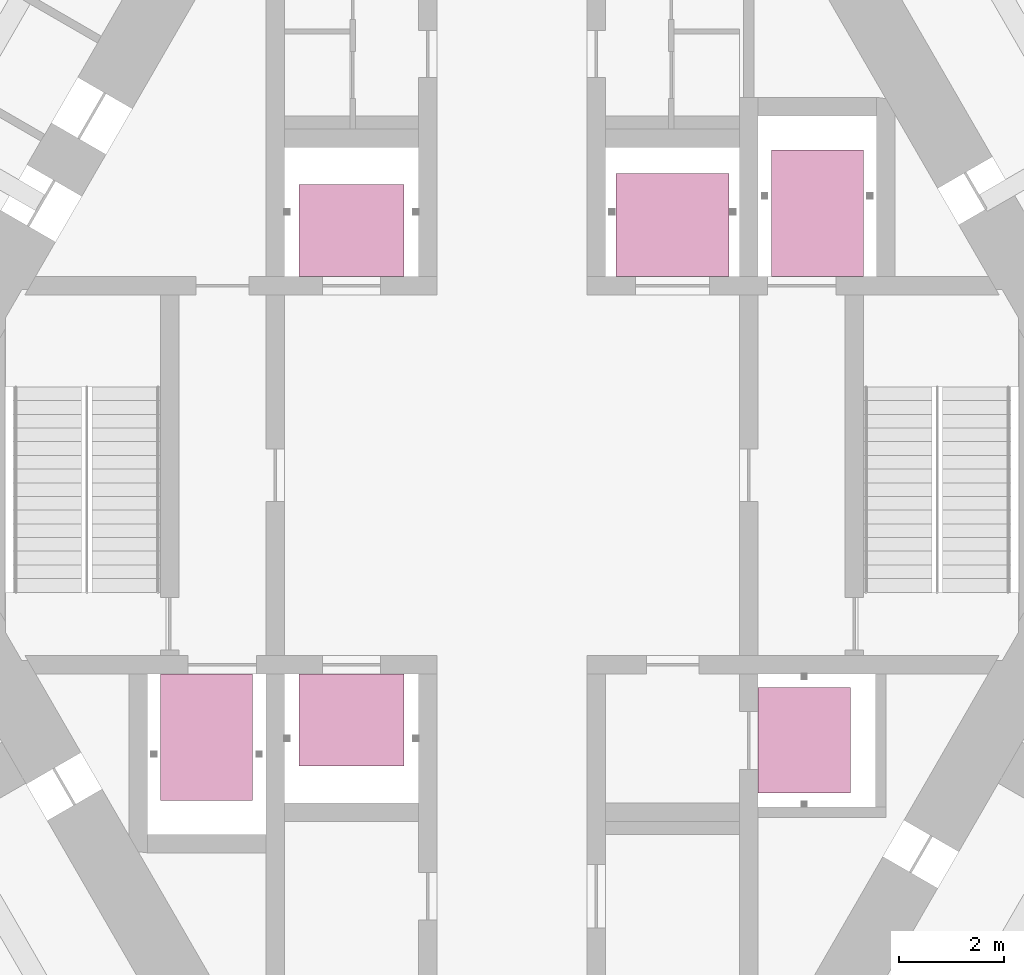
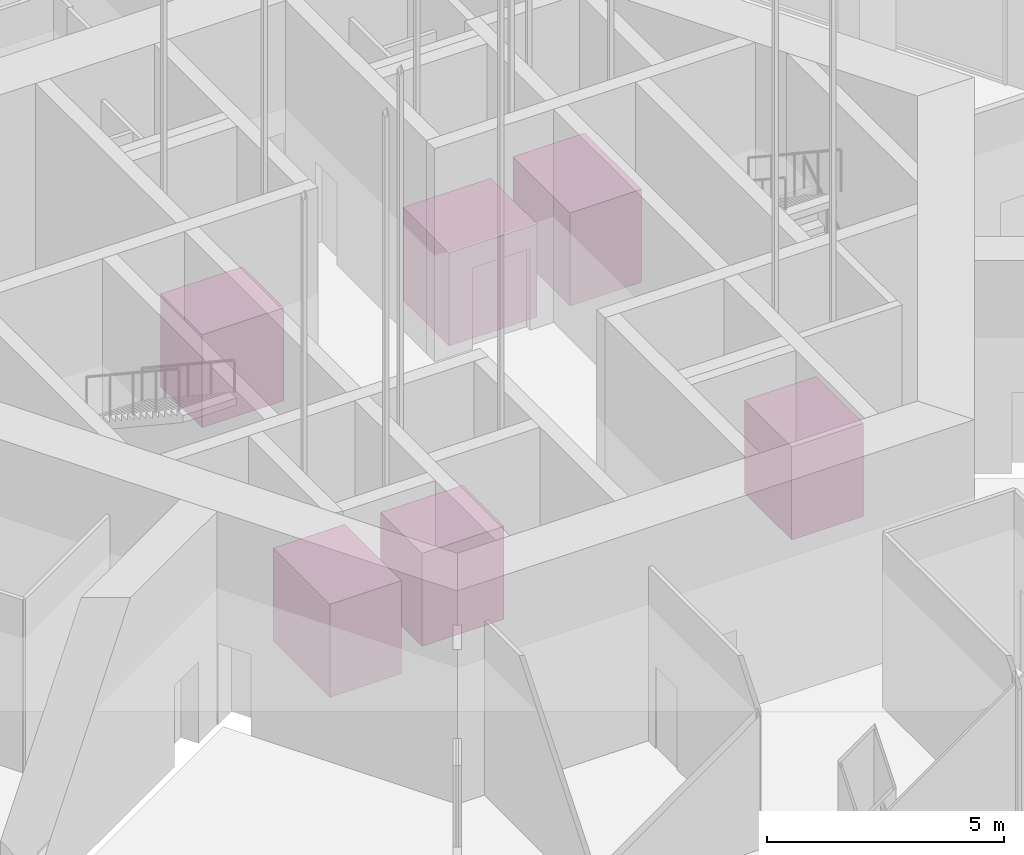
# One storey, part 18 of 18: 6 transport elements.
"""IFC4 building model written with IfcOpenShell, lengths in metres."""

import ifcopenshell
import ifcopenshell.guid

model = None  # the IFC model being written
_history = None  # IfcOwnerHistory: only IFC2X3 demands one
_inside = {}  # id of a spatial element -> (the spatial element, [elements in it])
_under = {}  # id of a project, library or spatial element -> (it, [spatial elements below it])
_declared = {}  # id of a project -> (the project, [libraries it declares])
_typed = {}  # id of a type object -> (the type object, [elements of that type])
_made_of = {}  # id of a material, layer set ... -> (it, [elements and type objects made of it])


def new_model(schema):
    """Start an empty IFC model of exactly this schema.

    Asked for "IFC4X3", IfcOpenShell would pick the latest addendum, in which some entities
    have other attributes; the version numbers below select the first issue.
    IFC2X3 requires an IfcOwnerHistory on every rooted entity: one is made here for all.
    """
    global model, _history
    if schema == "IFC4X3":
        model = ifcopenshell.file(schema_version=(4, 3, 0, 0))
    else:
        model = ifcopenshell.file(schema=schema)
    _inside.clear()
    _under.clear()
    _declared.clear()
    _typed.clear()
    _made_of.clear()
    _history = None
    if model.schema == "IFC2X3":
        org = make("IfcOrganization", Name="unknown")
        user = make(
            "IfcPersonAndOrganization",
            ThePerson=make("IfcPerson", FamilyName="unknown"),
            TheOrganization=org,
        )
        app = make(
            "IfcApplication",
            ApplicationDeveloper=org,
            Version="unknown",
            ApplicationFullName="unknown",
            ApplicationIdentifier="unknown",
        )
        _history = make(
            "IfcOwnerHistory",
            OwningUser=user,
            OwningApplication=app,
            ChangeAction="ADDED",
            CreationDate=0,
        )
    return model


def make(cls, **values):
    """One entity of the class cls with the attributes given. An attribute that is None is left unset."""
    return model.create_entity(
        cls, **{name: value for name, value in values.items() if value is not None}
    )


def rooted(cls, **values):
    """An entity with a GlobalId (a new one), such as an element, a storey or a relation."""
    return make(cls, GlobalId=ifcopenshell.guid.new(), OwnerHistory=_history, **values)


def si_unit(unit_type, name, prefix=None):
    """IfcSIUnit, for example si_unit("LENGTHUNIT", "METRE", prefix="MILLI")."""
    return make("IfcSIUnit", UnitType=unit_type, Prefix=prefix, Name=name)


def assignment(units):
    """IfcUnitAssignment: the units of a project."""
    return None if units is None else make("IfcUnitAssignment", Units=units)


def point(xyz):
    """IfcCartesianPoint."""
    return None if xyz is None else make("IfcCartesianPoint", Coordinates=xyz)


def direction(xyz):
    """IfcDirection."""
    return None if xyz is None else make("IfcDirection", DirectionRatios=xyz)


def frame(location, z_axis=None, x_axis=None):
    """IfcAxis2Placement3D, a coordinate frame: its origin and axes. An axis left out is left unset."""
    return make(
        "IfcAxis2Placement3D",
        Location=point(location),
        Axis=direction(z_axis),
        RefDirection=direction(x_axis),
    )


def frame_2d(location, x_axis=None):
    """IfcAxis2Placement2D, a coordinate frame in the plane: its origin and x axis."""
    return make(
        "IfcAxis2Placement2D", Location=point(location), RefDirection=direction(x_axis)
    )


def origin():
    """The frame at (0, 0, 0) with its axes left unset."""
    return frame((0.0, 0.0, 0.0))


def origin_2d():
    """The frame at (0, 0) in the plane with its x axis left unset."""
    return frame_2d((0.0, 0.0))


def place(relative_to, where):
    """IfcLocalPlacement: puts the frame where relative to a parent placement (None: the world)."""
    return make(
        "IfcLocalPlacement", PlacementRelTo=relative_to, RelativePlacement=where
    )


def context(
    kind, dimensions, precision=None, world=None, true_north=None, identifier=None
):
    """IfcGeometricRepresentationContext, for example the 3D "Model" context."""
    return make(
        "IfcGeometricRepresentationContext",
        ContextIdentifier=identifier,
        ContextType=kind,
        CoordinateSpaceDimension=dimensions,
        Precision=precision,
        WorldCoordinateSystem=world,
        TrueNorth=true_north,
    )


def subcontext(parent, identifier, kind, view, scale=None):
    """IfcGeometricRepresentationSubContext, for example "Body" below "Model"."""
    return make(
        "IfcGeometricRepresentationSubContext",
        ContextIdentifier=identifier,
        ContextType=kind,
        ParentContext=parent,
        TargetScale=scale,
        TargetView=view,
    )


def project(units=None, contexts=None):
    """IfcProject with its units and contexts."""
    return rooted(
        "IfcProject",
        Name="project",
        RepresentationContexts=contexts,
        UnitsInContext=assignment(units),
    )


def spatial(cls, under=None, at=None, **own):
    """A site, building, storey or space (cls), placed at a placement, below another one or the project."""
    s = rooted(cls, ObjectPlacement=at, **own)
    if under is not None:
        _under.setdefault(under.id(), (under, []))[1].append(s)
    return s


def profile(cls, at=None, kind="AREA", **sizes):
    """A parametric profile (cls). Its sizes go by their IFC names, for example OverallWidth=200.0."""
    return make(cls, ProfileType=kind, Position=at, **sizes)


def rectangle(**sizes):
    """IfcRectangleProfileDef."""
    return profile("IfcRectangleProfileDef", **sizes)


def extrude(swept, where, along, depth):
    """IfcExtrudedAreaSolid: the profile swept, set in the frame where, extruded along a direction by depth."""
    return make(
        "IfcExtrudedAreaSolid",
        SweptArea=swept,
        Position=where,
        ExtrudedDirection=direction(along),
        Depth=depth,
    )


def shape(context_of_items, identifier, shape_type, items):
    """IfcShapeRepresentation: the items that make up one representation, for example the "Body"."""
    return make(
        "IfcShapeRepresentation",
        ContextOfItems=context_of_items,
        RepresentationIdentifier=identifier,
        RepresentationType=shape_type,
        Items=items,
    )


def material(Name=None, Category=None):
    """IfcMaterial."""
    return make("IfcMaterial", Name=Name, Category=Category)


def made_of(thing, what):
    """Note that an element or type object is made of a material, layer set ...; save() writes the relation."""
    if what is not None:
        _made_of.setdefault(what.id(), (what, []))[1].append(thing)
    return thing


def type_object(cls, material=None, **own):
    """A type object (cls), such as IfcWallType, which elements share."""
    return made_of(rooted(cls, **own), material)


def element(
    cls,
    number,
    at=None,
    inside=None,
    cuts=None,
    type_object=None,
    material=None,
    context=None,
    identifier="Body",
    shape_type=None,
    held_by="IfcProductDefinitionShape",
    body=None,
    shapes=None,
    **own,
):
    """One element of the class cls, such as IfcWall. Its Tag is "e" and its number.

    at: its placement. inside: the storey or other place that contains it. cuts: it is an
    opening in that element (IfcRelVoidsElement). A single representation is given by context,
    identifier, shape_type and body (its items); several are given by shapes. held_by: the class
    of the entity that holds the representations. save() writes the other relations.
    """
    e = rooted(cls, Tag="e%d" % number, ObjectPlacement=at, **own)
    if body is not None:
        shapes = [shape(context, identifier, shape_type, body)]
    if shapes is not None:
        e.Representation = make(held_by, Representations=shapes)
    if inside is not None:
        _inside.setdefault(inside.id(), (inside, []))[1].append(e)
    if cuts is not None:
        rooted(
            "IfcRelVoidsElement", RelatingBuildingElement=cuts, RelatedOpeningElement=e
        )
    if type_object is not None:
        _typed.setdefault(type_object.id(), (type_object, []))[1].append(e)
    return made_of(e, material)


def aggregate(whole, parts):
    """IfcRelAggregates: a whole, such as a stair, and the parts it consists of."""
    return rooted("IfcRelAggregates", RelatingObject=whole, RelatedObjects=parts)


def save(model, path):
    """Write the relations noted so far, then the file.

    IfcRelAggregates (storeys below a building ...), IfcRelContainedInSpatialStructure (elements
    in a storey), IfcRelDefinesByType, IfcRelAssociatesMaterial and IfcRelDeclares: one each for
    every whole, place, type object, material and project.
    """
    for whole, parts in _under.values():
        aggregate(whole, parts)
    for where, things in _inside.values():
        rooted(
            "IfcRelContainedInSpatialStructure",
            RelatedElements=things,
            RelatingStructure=where,
        )
    for kind, things in _typed.values():
        rooted("IfcRelDefinesByType", RelatedObjects=things, RelatingType=kind)
    for what, things in _made_of.values():
        rooted("IfcRelAssociatesMaterial", RelatedObjects=things, RelatingMaterial=what)
    for by, libraries in _declared.values():
        rooted("IfcRelDeclares", RelatingContext=by, RelatedDefinitions=libraries)
    model.write(path)


model = new_model("IFC4")

# Units and contexts
model_context = context("Model", 3, precision=1e-05, world=origin(), true_north=direction((0.0, 1.0)))
body_context = subcontext(model_context, "Body", "Model", "MODEL_VIEW")
ifc_project = project(units=[si_unit("LENGTHUNIT", "METRE"), si_unit("AREAUNIT", "SQUARE_METRE"), si_unit("VOLUMEUNIT", "CUBIC_METRE"), si_unit("PLANEANGLEUNIT", "RADIAN"), si_unit("MASSUNIT", "GRAM", prefix="KILO")], contexts=[model_context])

# Site, building, storey
site_placement = place(None, origin())
site = spatial("IfcSite", under=ifc_project, at=site_placement, CompositionType="ELEMENT")
building_placement = place(site_placement, origin())
building = spatial("IfcBuilding", under=site, at=building_placement, Name="Kasaneha Research Tower", CompositionType="ELEMENT")
storey_placement = place(building_placement, origin())
storey = spatial("IfcBuildingStorey", under=building, at=storey_placement, Name="L01", CompositionType="ELEMENT", Elevation=0.0)

# Transport elements
ifc_material_1 = material(Name="Steel", Category="steel")
transport_element_type_1 = type_object("IfcTransportElementType", Name="Emergency lift car 1750x2400 1600 kg", PredefinedType="ELEVATOR", material=ifc_material_1)
transport_element_1_placement = place(storey_placement, origin())
element("IfcTransportElement", 1, at=transport_element_1_placement, inside=storey, type_object=transport_element_type_1, Name="Lift FL1", PredefinedType="ELEVATOR", context=body_context, shape_type="SweptSolid", body=[
    extrude(rectangle(XDim=1.75, YDim=2.39990234375, at=origin_2d()), frame((5.800048828125, 4.97509765625, 0.0)), (0.0, 0.0, 1.0), 2.39990234375),
])
transport_element_2_placement = place(storey_placement, origin())
element("IfcTransportElement", 2, at=transport_element_2_placement, inside=storey, type_object=transport_element_type_1, Name="Lift FL2", PredefinedType="ELEVATOR", context=body_context, shape_type="SweptSolid", body=[
    extrude(rectangle(XDim=1.75, YDim=2.39990234375, at=origin_2d()), frame((-5.800048828125, -4.97509765625, 0.0)), (0.0, 0.0, 1.0), 2.39990234375),
])
ifc_material_2 = material(Name="Steel", Category="steel")
transport_element_type_2 = type_object("IfcTransportElementType", Name="Passenger lift car 2000x1750 1600 kg", PredefinedType="ELEVATOR", material=ifc_material_2)
transport_element_3_placement = place(storey_placement, origin())
element("IfcTransportElement", 3, at=transport_element_3_placement, inside=storey, type_object=transport_element_type_2, Name="Lift PL1", PredefinedType="ELEVATOR", context=body_context, shape_type="SweptSolid", body=[
    extrude(rectangle(XDim=1.75, YDim=2.0, at=origin_2d()), frame((5.550048828125, -5.03759765625, 0.0)), (0.0, 0.0, 1.0), 2.39990234375),
])
transport_element_4_placement = place(storey_placement, origin())
element("IfcTransportElement", 4, at=transport_element_4_placement, inside=storey, type_object=transport_element_type_2, Name="Lift LO1", PredefinedType="ELEVATOR", context=body_context, shape_type="SweptSolid", body=[
    extrude(rectangle(XDim=2.0, YDim=1.75, at=origin_2d()), frame((-3.050048828125, 4.64990234375, 0.0)), (0.0, 0.0, 1.0), 2.39990234375),
])
transport_element_5_placement = place(storey_placement, origin())
element("IfcTransportElement", 5, at=transport_element_5_placement, inside=storey, type_object=transport_element_type_2, Name="Lift LO2", PredefinedType="ELEVATOR", context=body_context, shape_type="SweptSolid", body=[
    extrude(rectangle(XDim=2.0, YDim=1.75, at=origin_2d()), frame((-3.050048828125, -4.64990234375, 0.0)), (0.0, 0.0, 1.0), 2.39990234375),
])
ifc_material_3 = material(Name="Steel", Category="steel")
transport_element_type_3 = type_object("IfcTransportElementType", Name="Passenger lift car 2150x1950 1800 kg", PredefinedType="ELEVATOR", material=ifc_material_3)
transport_element_6_placement = place(storey_placement, origin())
element("IfcTransportElement", 6, at=transport_element_6_placement, inside=storey, type_object=transport_element_type_3, Name="Lift SH1", PredefinedType="ELEVATOR", context=body_context, shape_type="SweptSolid", body=[
    extrude(rectangle(XDim=2.14990234375, YDim=1.949951171875, at=origin_2d()), frame((3.050048828125, 4.75, 0.0)), (0.0, 0.0, 1.0), 2.39990234375),
])

save(model, "model.ifc")
